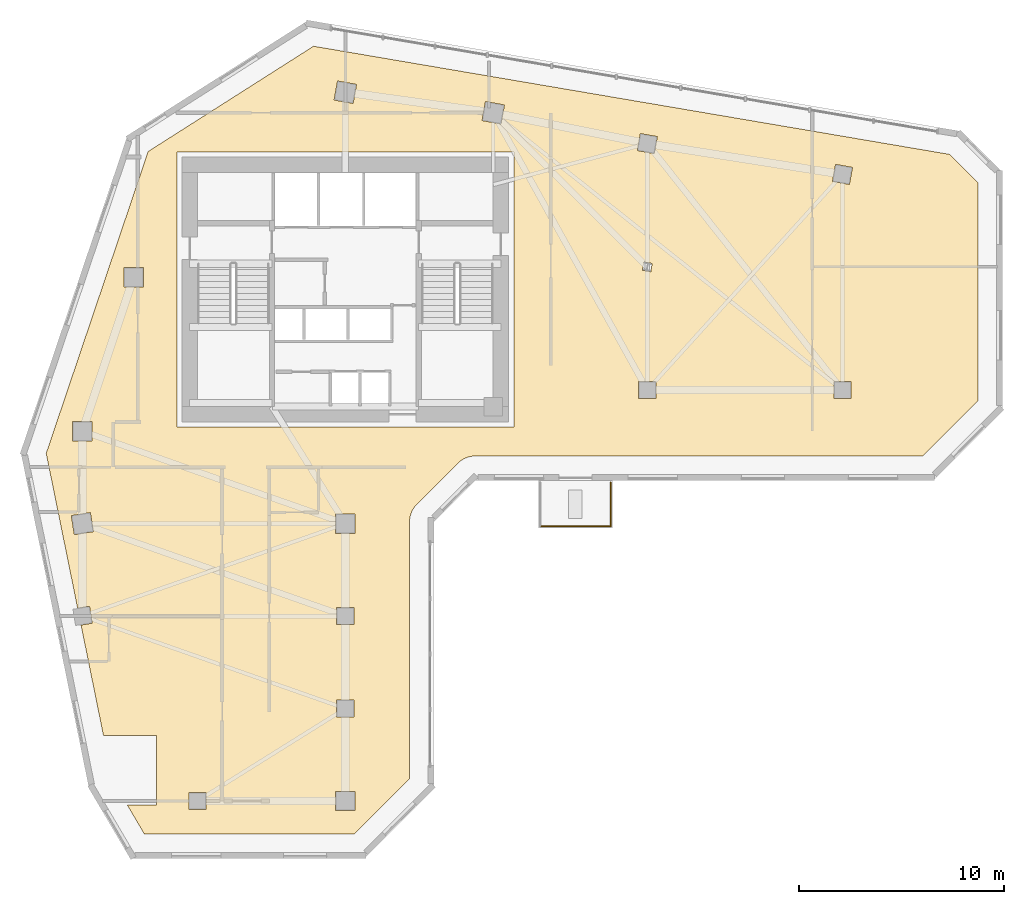
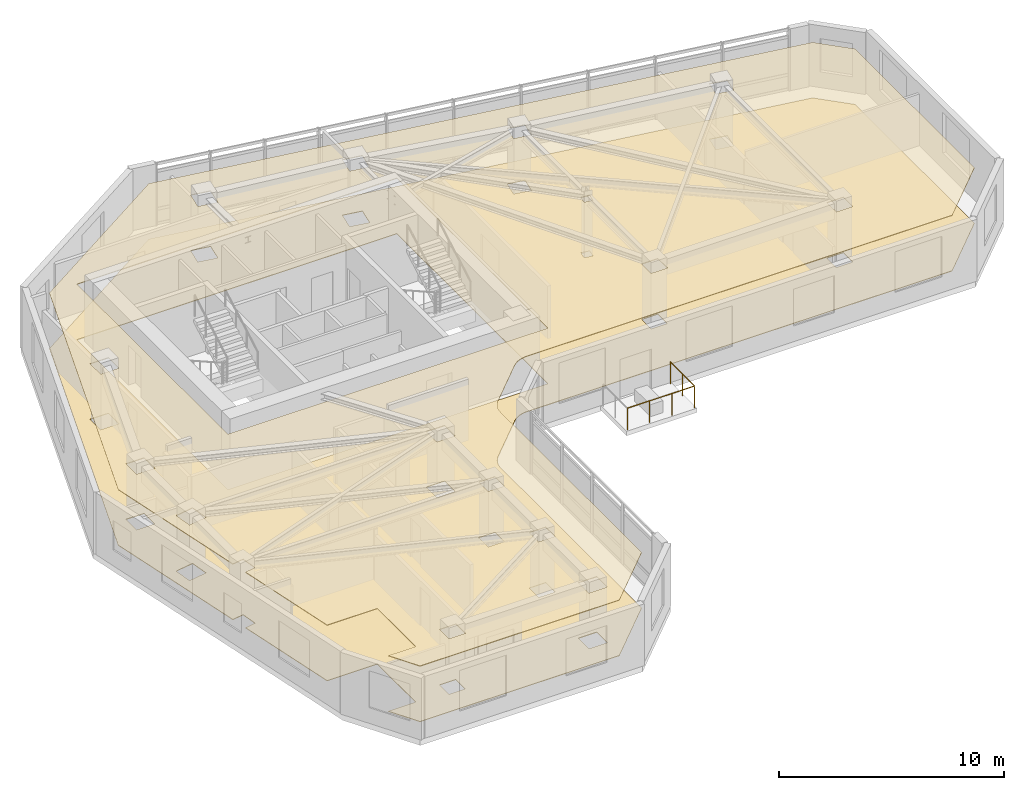
# One storey, part 9 of 10: 2 coverings, 2 railings.
"""IFC4 building model written with IfcOpenShell, lengths in metres."""

from ifc_helpers import new_model, si_unit, direction, frame, origin, origin_2d, place, context, subcontext, project, spatial, polyline, circle, outline, extrude, material, layer, layer_set, type_object, element, save


model = new_model("IFC4")

# Units and contexts
model_context = context("Model", 3, precision=1e-05, world=origin(), true_north=direction((0.0, 1.0)))
body_context = subcontext(model_context, "Body", "Model", "MODEL_VIEW")
ifc_project = project(units=[si_unit("LENGTHUNIT", "METRE"), si_unit("AREAUNIT", "SQUARE_METRE"), si_unit("VOLUMEUNIT", "CUBIC_METRE"), si_unit("PLANEANGLEUNIT", "RADIAN"), si_unit("MASSUNIT", "GRAM", prefix="KILO")], contexts=[model_context])

# Site, building, storey
site_placement = place(None, origin())
site = spatial("IfcSite", under=ifc_project, at=site_placement, CompositionType="ELEMENT")
building_placement = place(site_placement, origin())
building = spatial("IfcBuilding", under=site, at=building_placement, Name="Calvemar Wedge Station Tower", CompositionType="ELEMENT")
storey_placement = place(building_placement, frame((0.0, 0.0, 139.39990234375)))
storey = spatial("IfcBuildingStorey", under=building, at=storey_placement, Name="L34", CompositionType="ELEMENT", Elevation=139.39990234375)

# Coverings
ifc_material_1 = material(Name="Moisture-resistant gypsum ceiling")
ifc_layer_1 = layer(ifc_material_1, 0.0400390625)
ifc_layer_set_1 = layer_set([ifc_layer_1], Name="Moisture-resistant gypsum ceiling")
covering_type_1 = type_object("IfcCoveringType", Name="COV-CEIL-GYPSUM", PredefinedType="CEILING", material=ifc_layer_set_1)
covering_1_placement = place(storey_placement, frame((0.0, 0.0, 3.0)))
element("IfcCovering", 1, at=covering_1_placement, inside=storey, type_object=covering_type_1, Name="Storey L34 Acoustic Suspended Ceiling", PredefinedType="CEILING", context=body_context, shape_type="SweptSolid", body=[
    extrude(outline(polyline([(27.279541015625, 29.4404296875), (29.279541015625, 31.4404296875), (29.36669921875, 31.51953125), (29.461181640625, 31.58984375), (29.562255859375, 31.650390625), (29.668701171875, 31.70068359375), (29.77978515625, 31.740234375), (29.893798828125, 31.768798828125), (30.010498046875, 31.7861328125), (30.1279296875, 31.7919921875), (51.90283203125, 31.7919921875), (54.60009765625, 34.489013671875), (54.60009765625, 45.094970703125), (53.221923828125, 46.47314453125), (22.25439453125, 51.739501953125), (14.201416015625, 46.614990234375), (9.240234375, 31.922119140625), (10.76904296875, 24.388427734375), (11.348388671875, 24.481201171875), (11.481201171875, 23.651611328125), (10.936279296875, 23.564453125), (12.02490234375, 18.199951171875), (14.60009765625, 18.199951171875), (14.60009765625, 14.800048828125), (13.19091796875, 14.800048828125), (14.014404296875, 13.39990234375), (24.23095703125, 13.39990234375), (26.927978515625, 16.09716796875), (26.927978515625, 28.592041015625), (26.933837890625, 28.709716796875), (26.951171875, 28.826171875), (26.979736328125, 28.940185546875), (27.019287109375, 29.05126953125), (27.069580078125, 29.15771484375), (27.130126953125, 29.2587890625), (27.200439453125, 29.353271484375), (27.279541015625, 29.4404296875)]), holes=[polyline([(15.60009765625, 46.60009765625), (32.0, 46.60009765625), (32.0, 33.199951171875), (15.60009765625, 33.199951171875), (15.60009765625, 46.60009765625)]), polyline([(10.530029296875, 32.530029296875), (10.530029296875, 33.469970703125), (11.469970703125, 33.469970703125), (11.469970703125, 32.530029296875), (10.530029296875, 32.530029296875)]), polyline([(13.030029296875, 40.969970703125), (13.969970703125, 40.969970703125), (13.969970703125, 40.030029296875), (13.030029296875, 40.030029296875), (13.030029296875, 40.969970703125)]), polyline([(24.345703125, 49.87939453125), (24.17919921875, 48.9541015625), (23.254150390625, 49.12060546875), (23.420654296875, 50.0458984375), (24.345703125, 49.87939453125)]), polyline([(31.37939453125, 47.9541015625), (30.4541015625, 48.12060546875), (30.62060546875, 49.0458984375), (31.5458984375, 48.87939453125), (31.37939453125, 47.9541015625)]), polyline([(38.01220703125, 46.660888671875), (38.160888671875, 47.48779296875), (38.98779296875, 47.339111328125), (38.839111328125, 46.51220703125), (38.01220703125, 46.660888671875)]), polyline([(47.660888671875, 45.98779296875), (48.48779296875, 45.839111328125), (48.339111328125, 45.01220703125), (47.51220703125, 45.160888671875), (47.660888671875, 45.98779296875)]), polyline([(38.919921875, 35.419921875), (38.919921875, 34.580078125), (38.080078125, 34.580078125), (38.080078125, 35.419921875), (38.919921875, 35.419921875)]), polyline([(48.419921875, 34.580078125), (47.580078125, 34.580078125), (47.580078125, 35.419921875), (48.419921875, 35.419921875), (48.419921875, 34.580078125)]), polyline([(38.259765625, 40.833984375), (38.332763671875, 41.239501953125), (38.740234375, 41.166015625), (38.667236328125, 40.760498046875), (38.259765625, 40.833984375)]), polyline([(11.389892578125, 29.038330078125), (11.538330078125, 28.110107421875), (10.610107421875, 27.961669921875), (10.461669921875, 28.889892578125), (11.389892578125, 29.038330078125)]), polyline([(24.27001953125, 28.030029296875), (23.330078125, 28.030029296875), (23.330078125, 28.969970703125), (24.27001953125, 28.969970703125), (24.27001953125, 28.030029296875)]), polyline([(23.3798828125, 23.580078125), (23.3798828125, 24.419921875), (24.219970703125, 24.419921875), (24.219970703125, 23.580078125), (23.3798828125, 23.580078125)]), polyline([(23.3798828125, 19.919921875), (24.219970703125, 19.919921875), (24.219970703125, 19.080078125), (23.3798828125, 19.080078125), (23.3798828125, 19.919921875)]), polyline([(24.27001953125, 15.469970703125), (24.27001953125, 14.530029296875), (23.330078125, 14.530029296875), (23.330078125, 15.469970703125), (24.27001953125, 15.469970703125)]), polyline([(17.02001953125, 14.580078125), (16.179931640625, 14.580078125), (16.179931640625, 15.419921875), (17.02001953125, 15.419921875), (17.02001953125, 14.580078125)])]), origin(), (0.0, 0.0, 1.0), 0.0400390625),
])
ifc_material_2 = material(Name="Honed coastal granite stone tile", Category="masonry")
ifc_layer_2 = layer(ifc_material_2, 0.030029296875)
ifc_layer_set_2 = layer_set([ifc_layer_2], Name="Honed coastal granite stone tile")
covering_type_2 = type_object("IfcCoveringType", Name="COV-FLR-STONE", PredefinedType="FLOORING", material=ifc_layer_set_2)
covering_2_placement = place(storey_placement, origin())
element("IfcCovering", 2, at=covering_2_placement, inside=storey, type_object=covering_type_2, Name="Storey L34 Architectural Floor Finish", PredefinedType="FLOORING", context=body_context, shape_type="SweptSolid", body=[
    extrude(outline(polyline([(27.279541015625, 29.4404296875), (29.279541015625, 31.4404296875), (29.36669921875, 31.51953125), (29.461181640625, 31.58984375), (29.562255859375, 31.650390625), (29.668701171875, 31.70068359375), (29.77978515625, 31.740234375), (29.893798828125, 31.768798828125), (30.010498046875, 31.7861328125), (30.1279296875, 31.7919921875), (51.90283203125, 31.7919921875), (54.60009765625, 34.489013671875), (54.60009765625, 45.094970703125), (53.221923828125, 46.47314453125), (22.25439453125, 51.739501953125), (14.201416015625, 46.614990234375), (9.240234375, 31.922119140625), (10.76904296875, 24.388427734375), (11.348388671875, 24.481201171875), (11.481201171875, 23.651611328125), (10.936279296875, 23.564453125), (12.02490234375, 18.199951171875), (14.60009765625, 18.199951171875), (14.60009765625, 14.800048828125), (13.19091796875, 14.800048828125), (14.014404296875, 13.39990234375), (24.23095703125, 13.39990234375), (26.927978515625, 16.09716796875), (26.927978515625, 28.592041015625), (26.933837890625, 28.709716796875), (26.951171875, 28.826171875), (26.979736328125, 28.940185546875), (27.019287109375, 29.05126953125), (27.069580078125, 29.15771484375), (27.130126953125, 29.2587890625), (27.200439453125, 29.353271484375), (27.279541015625, 29.4404296875)]), holes=[polyline([(15.60009765625, 46.60009765625), (32.0, 46.60009765625), (32.0, 33.199951171875), (15.60009765625, 33.199951171875), (15.60009765625, 46.60009765625)]), polyline([(10.530029296875, 32.530029296875), (10.530029296875, 33.469970703125), (11.469970703125, 33.469970703125), (11.469970703125, 32.530029296875), (10.530029296875, 32.530029296875)]), polyline([(13.030029296875, 40.969970703125), (13.969970703125, 40.969970703125), (13.969970703125, 40.030029296875), (13.030029296875, 40.030029296875), (13.030029296875, 40.969970703125)]), polyline([(24.345703125, 49.87939453125), (24.17919921875, 48.9541015625), (23.254150390625, 49.12060546875), (23.420654296875, 50.0458984375), (24.345703125, 49.87939453125)]), polyline([(31.37939453125, 47.9541015625), (30.4541015625, 48.12060546875), (30.62060546875, 49.0458984375), (31.5458984375, 48.87939453125), (31.37939453125, 47.9541015625)]), polyline([(38.01220703125, 46.660888671875), (38.160888671875, 47.48779296875), (38.98779296875, 47.339111328125), (38.839111328125, 46.51220703125), (38.01220703125, 46.660888671875)]), polyline([(47.660888671875, 45.98779296875), (48.48779296875, 45.839111328125), (48.339111328125, 45.01220703125), (47.51220703125, 45.160888671875), (47.660888671875, 45.98779296875)]), polyline([(38.919921875, 35.419921875), (38.919921875, 34.580078125), (38.080078125, 34.580078125), (38.080078125, 35.419921875), (38.919921875, 35.419921875)]), polyline([(48.419921875, 34.580078125), (47.580078125, 34.580078125), (47.580078125, 35.419921875), (48.419921875, 35.419921875), (48.419921875, 34.580078125)]), polyline([(38.259765625, 40.833984375), (38.332763671875, 41.239501953125), (38.740234375, 41.166015625), (38.667236328125, 40.760498046875), (38.259765625, 40.833984375)]), polyline([(11.389892578125, 29.038330078125), (11.538330078125, 28.110107421875), (10.610107421875, 27.961669921875), (10.461669921875, 28.889892578125), (11.389892578125, 29.038330078125)]), polyline([(24.27001953125, 28.030029296875), (23.330078125, 28.030029296875), (23.330078125, 28.969970703125), (24.27001953125, 28.969970703125), (24.27001953125, 28.030029296875)]), polyline([(23.3798828125, 23.580078125), (23.3798828125, 24.419921875), (24.219970703125, 24.419921875), (24.219970703125, 23.580078125), (23.3798828125, 23.580078125)]), polyline([(23.3798828125, 19.919921875), (24.219970703125, 19.919921875), (24.219970703125, 19.080078125), (23.3798828125, 19.080078125), (23.3798828125, 19.919921875)]), polyline([(24.27001953125, 15.469970703125), (24.27001953125, 14.530029296875), (23.330078125, 14.530029296875), (23.330078125, 15.469970703125), (24.27001953125, 15.469970703125)]), polyline([(17.02001953125, 14.580078125), (16.179931640625, 14.580078125), (16.179931640625, 15.419921875), (17.02001953125, 15.419921875), (17.02001953125, 14.580078125)])]), origin(), (0.0, 0.0, 1.0), 0.030029296875),
])

# Railings
ifc_material_3 = material(Name="Stainless steel AISI 316L", Category="steel")
railing_type = type_object("IfcRailingType", Name="GRD-TERR-1200", PredefinedType="GUARDRAIL", material=ifc_material_3)
railing_1_placement = place(storey_placement, frame((36.719970703125, 30.511962890625, 0.0)))
element("IfcRailing", 3, at=railing_1_placement, inside=storey, type_object=railing_type, Name="Storey L34 Spiral Terrace Guard 2", PredefinedType="GUARDRAIL", context=body_context, shape_type="SweptSolid", body=[
    extrude(circle(Radius=0.02392578125, at=origin_2d()), frame((0.0, 0.0, 1.17578125), z_axis=(0.0, -1.0, 0.0), x_axis=(1.0, 0.0, 0.0)), (0.0, 0.0, 1.0), 2.139892578125),
    extrude(circle(Radius=0.02099609375, at=origin_2d()), origin(), (0.0, 0.0, 1.0), 1.15185546875),
    extrude(circle(Radius=0.02099609375, at=origin_2d()), frame((0.0, -1.06982421875, 0.0)), (0.0, 0.0, 1.0), 1.15185546875),
    extrude(circle(Radius=0.02099609375, at=origin_2d()), frame((0.0, -2.139892578125, 0.0)), (0.0, 0.0, 1.0), 1.15185546875),
])
railing_2_placement = place(storey_placement, frame((36.719970703125, 28.3720703125, 0.0)))
element("IfcRailing", 4, at=railing_2_placement, inside=storey, type_object=railing_type, Name="Storey L34 Spiral Terrace Guard 3", PredefinedType="GUARDRAIL", context=body_context, shape_type="SweptSolid", body=[
    extrude(circle(Radius=0.02392578125, at=origin_2d()), frame((0.0, 0.0, 1.17578125), z_axis=(-1.0, 0.0, 0.0), x_axis=(0.0, -1.0, 0.0)), (0.0, 0.0, 1.0), 3.43994140625),
    extrude(circle(Radius=0.02099609375, at=origin_2d()), origin(), (0.0, 0.0, 1.0), 1.15185546875),
    extrude(circle(Radius=0.02099609375, at=origin_2d()), frame((-1.146728515625, 0.0, 0.0)), (0.0, 0.0, 1.0), 1.15185546875),
    extrude(circle(Radius=0.02099609375, at=origin_2d()), frame((-2.293212890625, 0.0, 0.0)), (0.0, 0.0, 1.0), 1.15185546875),
    extrude(circle(Radius=0.02099609375, at=origin_2d()), frame((-3.43994140625, 0.0, 0.0)), (0.0, 0.0, 1.0), 1.15185546875),
])

save(model, "model.ifc")
